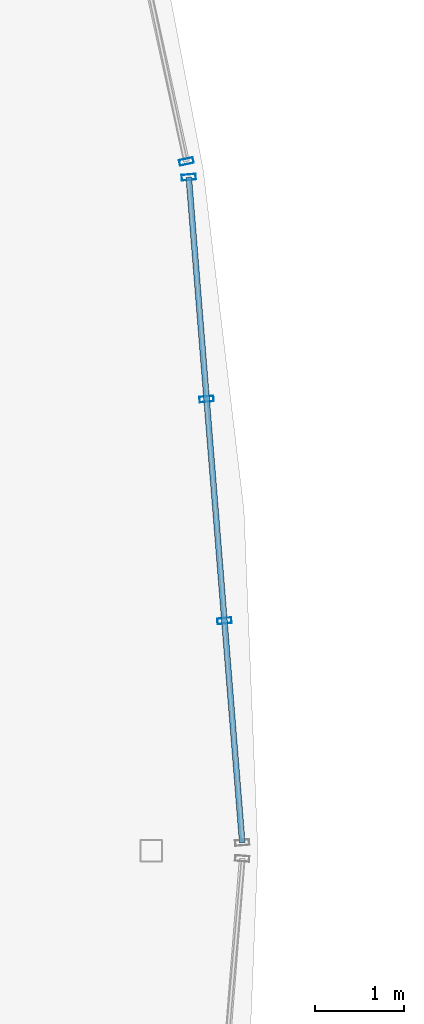
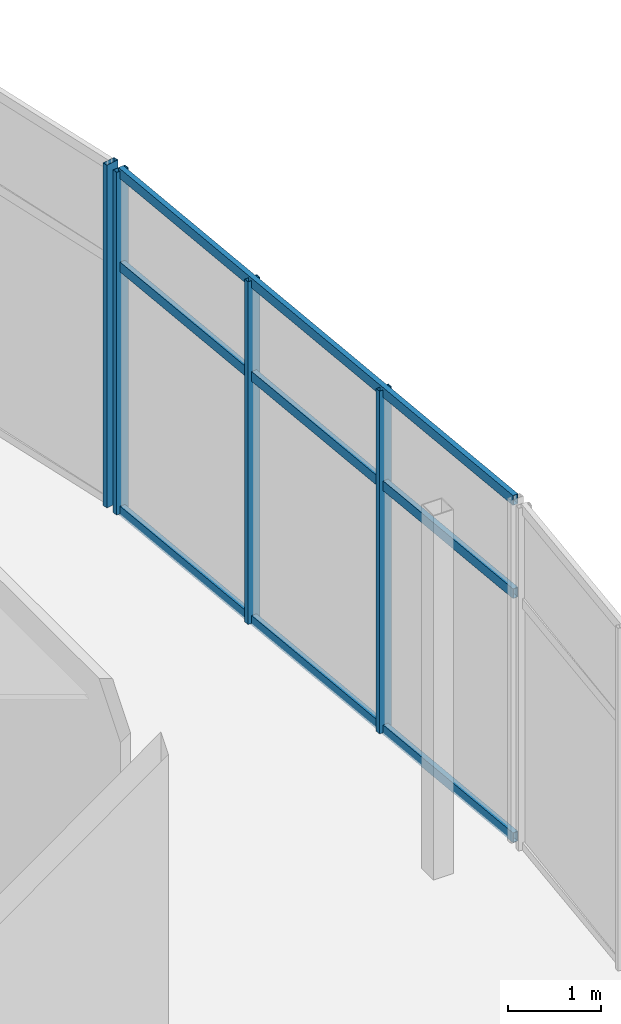
# One storey, part 99 of 157: 7 members, 2 elements without a shape of their own.
"""IFC4 building model written with IfcOpenShell, lengths in metres."""

from ifc_helpers import new_model, si_unit, direction, frame, origin, origin_2d, place, context, subcontext, project, spatial, hollow_rectangle, extrude, material, layer, layer_set, material_profile, profile_set, type_object, element, aggregate, save


model = new_model("IFC4")

# Units and contexts
model_context = context("Model", 3, precision=1e-05, world=origin(), true_north=direction((0.0, 1.0)))
body_context = subcontext(model_context, "Body", "Model", "MODEL_VIEW")
ifc_project = project(units=[si_unit("LENGTHUNIT", "METRE"), si_unit("AREAUNIT", "SQUARE_METRE"), si_unit("VOLUMEUNIT", "CUBIC_METRE"), si_unit("PLANEANGLEUNIT", "RADIAN"), si_unit("MASSUNIT", "GRAM", prefix="KILO")], contexts=[model_context])

# Site, building, storey
site_placement = place(None, origin())
site = spatial("IfcSite", under=ifc_project, at=site_placement, CompositionType="ELEMENT")
building_placement = place(site_placement, origin())
building = spatial("IfcBuilding", under=site, at=building_placement, Name="Chalmorin Arch Market", CompositionType="ELEMENT")
storey_placement = place(building_placement, frame((0.0, 0.0, 4.800048828125)))
storey = spatial("IfcBuildingStorey", under=building, at=storey_placement, Name="L01", CompositionType="ELEMENT", Elevation=4.800048828125)

# Curtain wall, members
ifc_material = material(Name="Aluminium 6063-T6", Category="aluminium")
ifc_layer_1 = layer(ifc_material, 0.159912109375)
ifc_layer_set_1 = layer_set([ifc_layer_1], Name="Aluminium 6063-T6")
curtain_wall_type_1 = type_object("IfcCurtainWallType", Name="CulinaryStudioCurtainWall-CW3-7510x4520", PredefinedType="NOTDEFINED", material=ifc_layer_set_1)
curtain_wall_1_placement = place(storey_placement, origin())
curtain_wall_1 = element("IfcCurtainWall", 1, at=curtain_wall_1_placement, inside=storey, type_object=curtain_wall_type_1, Name="CW-03-185", PredefinedType="NOTDEFINED")
ifc_material_profile_1 = material_profile(ifc_material, hollow_rectangle(XDim=0.06494140625, YDim=0.159912109375, WallThickness=0.00390625, at=origin_2d()), Name="ALU65X160X4")
ifc_profile_set_1 = profile_set([ifc_material_profile_1], Name="Aluminium 6063-T6")
member_type_1 = type_object("IfcMemberType", Name="CurtainWallMullion-65x160", PredefinedType="MULLION", material=ifc_profile_set_1)
member_1_placement = place(storey_placement, frame((120.072265625, 97.585693359375, 0.0), z_axis=(0.0, 0.0, 1.0), x_axis=(-0.087155742748, 0.996194698092, 0.0)))
member_1 = element("IfcMember", 2, at=member_1_placement, type_object=member_type_1, Name="ML-185-02", PredefinedType="MULLION", context=body_context, shape_type="SweptSolid", body=[
    extrude(hollow_rectangle(XDim=0.06494140625, YDim=0.159912109375, WallThickness=0.00390625, at=origin_2d()), origin(), (0.0, 0.0, 1.0), 4.52001953125),
])
member_2_placement = place(storey_placement, frame((119.87158203125, 100.081298828125, 0.0), z_axis=(0.0, 0.0, 1.0), x_axis=(-0.087155742748, 0.996194698092, 0.0)))
member_2 = element("IfcMember", 3, at=member_2_placement, type_object=member_type_1, Name="ML-185-03", PredefinedType="MULLION", context=body_context, shape_type="SweptSolid", body=[
    extrude(hollow_rectangle(XDim=0.06494140625, YDim=0.159912109375, WallThickness=0.00390625, at=origin_2d()), origin(), (0.0, 0.0, 1.0), 4.52001953125),
])
member_3_placement = place(storey_placement, frame((119.671142578125, 102.577392578125, 0.0), z_axis=(0.0, 0.0, 1.0), x_axis=(-0.087155742748, 0.996194698092, 0.0)))
member_3 = element("IfcMember", 4, at=member_3_placement, type_object=member_type_1, Name="ML-185-04", PredefinedType="MULLION", context=body_context, shape_type="SweptSolid", body=[
    extrude(hollow_rectangle(XDim=0.06494140625, YDim=0.159912109375, WallThickness=0.00390625, at=origin_2d()), origin(), (0.0, 0.0, 1.0), 4.52001953125),
])

# Curtain wall, member
ifc_layer_2 = layer(ifc_material, 0.159912109375)
ifc_layer_set_2 = layer_set([ifc_layer_2], Name="Aluminium 6063-T6")
curtain_wall_type_2 = type_object("IfcCurtainWallType", Name="CulinaryStudioCurtainWall-CW3-7670x4520", PredefinedType="NOTDEFINED", material=ifc_layer_set_2)
curtain_wall_2_placement = place(storey_placement, origin())
curtain_wall_2 = element("IfcCurtainWall", 5, at=curtain_wall_2_placement, inside=storey, type_object=curtain_wall_type_2, Name="CW-03-187", PredefinedType="NOTDEFINED")
member_4_placement = place(storey_placement, frame((119.644775390625, 102.7548828125, 0.0), z_axis=(0.0, 0.0, 1.0), x_axis=(-0.207911690818, 0.978147600734, 0.0)))
member_4 = element("IfcMember", 6, at=member_4_placement, type_object=member_type_1, Name="ML-187-01", PredefinedType="MULLION", context=body_context, shape_type="SweptSolid", body=[
    extrude(hollow_rectangle(XDim=0.06494140625, YDim=0.159912109375, WallThickness=0.00390625, at=origin_2d()), origin(), (0.0, 0.0, 1.0), 4.52001953125),
])
aggregate(curtain_wall_2, [member_4])

# Member
ifc_material_profile_2 = material_profile(ifc_material, hollow_rectangle(XDim=0.06494140625, YDim=0.1298828125, WallThickness=0.00390625, at=origin_2d()), Name="ALU65X130X4")
ifc_profile_set_2 = profile_set([ifc_material_profile_2], Name="Aluminium 6063-T6")
member_type_2 = type_object("IfcMemberType", Name="CurtainWallTransom-65x130", PredefinedType="USERDEFINED", material=ifc_profile_set_2)
member_5_placement = place(storey_placement, frame((120.272705078125, 95.089599609375, 0.034912109375), z_axis=(-0.080081072812, 0.996788353552, 0.0), x_axis=(-0.996788353552, -0.080081072812, 0.0)))
member_5 = element("IfcMember", 7, at=member_5_placement, type_object=member_type_2, Name="TR-185-01", ObjectType="TRANSOM", PredefinedType="USERDEFINED", context=body_context, shape_type="SweptSolid", body=[
    extrude(hollow_rectangle(XDim=0.06494140625, YDim=0.1298828125, WallThickness=0.00390625, at=origin_2d()), origin(), (0.0, 0.0, 1.0), 7.511962890625),
])

member_6_placement = place(storey_placement, frame((120.272705078125, 95.089599609375, 3.25439453125), z_axis=(-0.080081072812, 0.996788353552, 0.0), x_axis=(-0.996788353552, -0.080081072812, 0.0)))
member_6 = element("IfcMember", 8, at=member_6_placement, type_object=member_type_2, Name="TR-185-02", ObjectType="TRANSOM", PredefinedType="USERDEFINED", context=body_context, shape_type="SweptSolid", body=[
    extrude(hollow_rectangle(XDim=0.06494140625, YDim=0.1298828125, WallThickness=0.00390625, at=origin_2d()), origin(), (0.0, 0.0, 1.0), 7.511962890625),
])

member_7_placement = place(storey_placement, frame((120.272705078125, 95.089599609375, 4.48486328125), z_axis=(-0.080081072812, 0.996788353552, 0.0), x_axis=(-0.996788353552, -0.080081072812, 0.0)))
member_7 = element("IfcMember", 9, at=member_7_placement, type_object=member_type_2, Name="TR-185-03", ObjectType="TRANSOM", PredefinedType="USERDEFINED", context=body_context, shape_type="SweptSolid", body=[
    extrude(hollow_rectangle(XDim=0.06494140625, YDim=0.1298828125, WallThickness=0.00390625, at=origin_2d()), origin(), (0.0, 0.0, 1.0), 7.511962890625),
])

aggregate(curtain_wall_1, [member_1, member_2, member_3, member_5, member_6, member_7])

save(model, "model.ifc")
